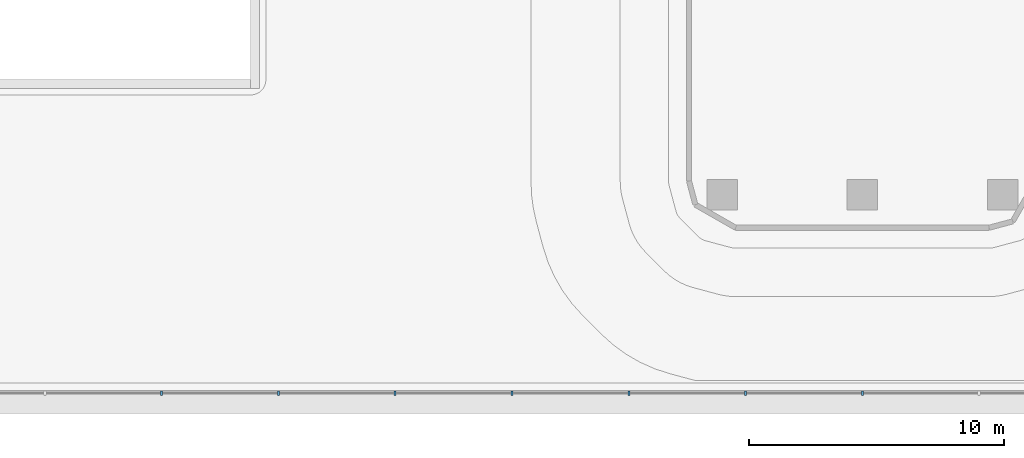
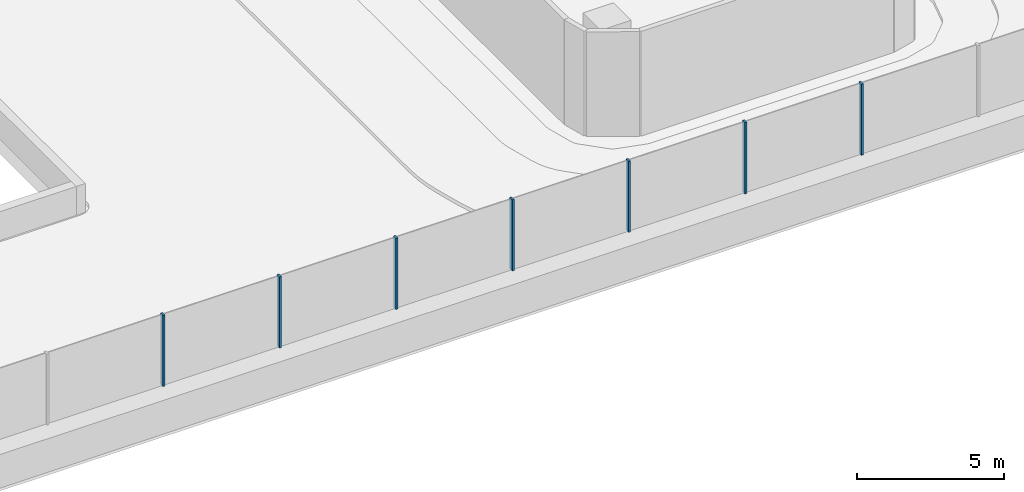
# One storey, part 3 of 37: 7 members, 1 element without a shape of its own.
"""IFC4 building model written with IfcOpenShell, lengths in metres."""

from ifc_helpers import new_model, si_unit, direction, frame, origin, origin_2d, place, context, subcontext, project, spatial, rectangle, extrude, material, layer, layer_set, material_profile, profile_set, type_object, element, aggregate, save


model = new_model("IFC4")

# Units and contexts
model_context = context("Model", 3, precision=1e-05, world=origin(), true_north=direction((0.0, 1.0)))
body_context = subcontext(model_context, "Body", "Model", "MODEL_VIEW")
ifc_project = project(units=[si_unit("LENGTHUNIT", "METRE"), si_unit("AREAUNIT", "SQUARE_METRE"), si_unit("VOLUMEUNIT", "CUBIC_METRE"), si_unit("PLANEANGLEUNIT", "RADIAN"), si_unit("MASSUNIT", "GRAM", prefix="KILO")], contexts=[model_context])

# Site, building, storey
site_placement = place(None, origin())
site = spatial("IfcSite", under=ifc_project, at=site_placement, CompositionType="ELEMENT")
building_placement = place(site_placement, origin())
building = spatial("IfcBuilding", under=site, at=building_placement, Name="Tamarind Cross Interchange Tower", CompositionType="ELEMENT")
storey_placement = place(building_placement, frame((0.0, 0.0, 29.5)))
storey = spatial("IfcBuildingStorey", under=building, at=storey_placement, Name="L05", CompositionType="ELEMENT", Elevation=29.5)

# Curtain wall, members
ifc_material = material(Name="Aluminium 6063-T6", Category="aluminium")
ifc_layer = layer(ifc_material, 0.179931640625)
ifc_layer_set = layer_set([ifc_layer], Name="Aluminium 6063-T6")
curtain_wall_type = type_object("IfcCurtainWallType", Name="Sky lobby curtain wall, fire-resisting glazing", PredefinedType="NOTDEFINED", material=ifc_layer_set)
curtain_wall_placement = place(storey_placement, origin())
curtain_wall = element("IfcCurtainWall", 1, at=curtain_wall_placement, inside=storey, type_object=curtain_wall_type, Name="CWS-L05-06", PredefinedType="NOTDEFINED")
ifc_material_profile = material_profile(ifc_material, rectangle(XDim=0.080078125, YDim=0.179931640625, at=origin_2d()), Name="Mullion CW4")
ifc_profile_set = profile_set([ifc_material_profile], Name="Aluminium 6063-T6")
member_type = type_object("IfcMemberType", Name="Mullion CW4", PredefinedType="MULLION", material=ifc_profile_set)
member_1_placement = place(storey_placement, frame((-27.4921875, -55.800048828125, 1.39990234375), z_axis=(0.0, 0.0, 1.0), x_axis=(1.0, 0.0, 0.0)))
member_1 = element("IfcMember", 2, at=member_1_placement, type_object=member_type, Name="CWM-L05-06-06", PredefinedType="MULLION", context=body_context, shape_type="SweptSolid", body=[
    extrude(rectangle(XDim=0.080078125, YDim=0.179931640625, at=origin_2d()), origin(), (0.0, 0.0, 1.0), 2.960205078125),
])
member_2_placement = place(storey_placement, frame((-22.91015625, -55.800048828125, 1.39990234375), z_axis=(0.0, 0.0, 1.0), x_axis=(1.0, 0.0, 0.0)))
member_2 = element("IfcMember", 3, at=member_2_placement, type_object=member_type, Name="CWM-L05-06-07", PredefinedType="MULLION", context=body_context, shape_type="SweptSolid", body=[
    extrude(rectangle(XDim=0.080078125, YDim=0.179931640625, at=origin_2d()), origin(), (0.0, 0.0, 1.0), 2.960205078125),
])
member_3_placement = place(storey_placement, frame((-18.328125, -55.800048828125, 1.39990234375), z_axis=(0.0, 0.0, 1.0), x_axis=(1.0, 0.0, 0.0)))
member_3 = element("IfcMember", 4, at=member_3_placement, type_object=member_type, Name="CWM-L05-06-08", PredefinedType="MULLION", context=body_context, shape_type="SweptSolid", body=[
    extrude(rectangle(XDim=0.080078125, YDim=0.179931640625, at=origin_2d()), origin(), (0.0, 0.0, 1.0), 2.960205078125),
])
member_4_placement = place(storey_placement, frame((-13.74609375, -55.800048828125, 1.39990234375), z_axis=(0.0, 0.0, 1.0), x_axis=(1.0, 0.0, 0.0)))
member_4 = element("IfcMember", 5, at=member_4_placement, type_object=member_type, Name="CWM-L05-06-09", PredefinedType="MULLION", context=body_context, shape_type="SweptSolid", body=[
    extrude(rectangle(XDim=0.080078125, YDim=0.179931640625, at=origin_2d()), origin(), (0.0, 0.0, 1.0), 2.960205078125),
])
member_5_placement = place(storey_placement, frame((-9.1640625, -55.800048828125, 1.39990234375), z_axis=(0.0, 0.0, 1.0), x_axis=(1.0, 0.0, 0.0)))
member_5 = element("IfcMember", 6, at=member_5_placement, type_object=member_type, Name="CWM-L05-06-10", PredefinedType="MULLION", context=body_context, shape_type="SweptSolid", body=[
    extrude(rectangle(XDim=0.080078125, YDim=0.179931640625, at=origin_2d()), origin(), (0.0, 0.0, 1.0), 2.960205078125),
])
member_6_placement = place(storey_placement, frame((-4.58203125, -55.800048828125, 1.39990234375), z_axis=(0.0, 0.0, 1.0), x_axis=(1.0, 0.0, 0.0)))
member_6 = element("IfcMember", 7, at=member_6_placement, type_object=member_type, Name="CWM-L05-06-11", PredefinedType="MULLION", context=body_context, shape_type="SweptSolid", body=[
    extrude(rectangle(XDim=0.080078125, YDim=0.179931640625, at=origin_2d()), origin(), (0.0, 0.0, 1.0), 2.960205078125),
])
member_7_placement = place(storey_placement, frame((0.0, -55.800048828125, 1.39990234375), z_axis=(0.0, 0.0, 1.0), x_axis=(1.0, 0.0, 0.0)))
member_7 = element("IfcMember", 8, at=member_7_placement, type_object=member_type, Name="CWM-L05-06-12", PredefinedType="MULLION", context=body_context, shape_type="SweptSolid", body=[
    extrude(rectangle(XDim=0.080078125, YDim=0.179931640625, at=origin_2d()), origin(), (0.0, 0.0, 1.0), 2.960205078125),
])
aggregate(curtain_wall, [member_1, member_2, member_3, member_4, member_5, member_6, member_7])

save(model, "model.ifc")
